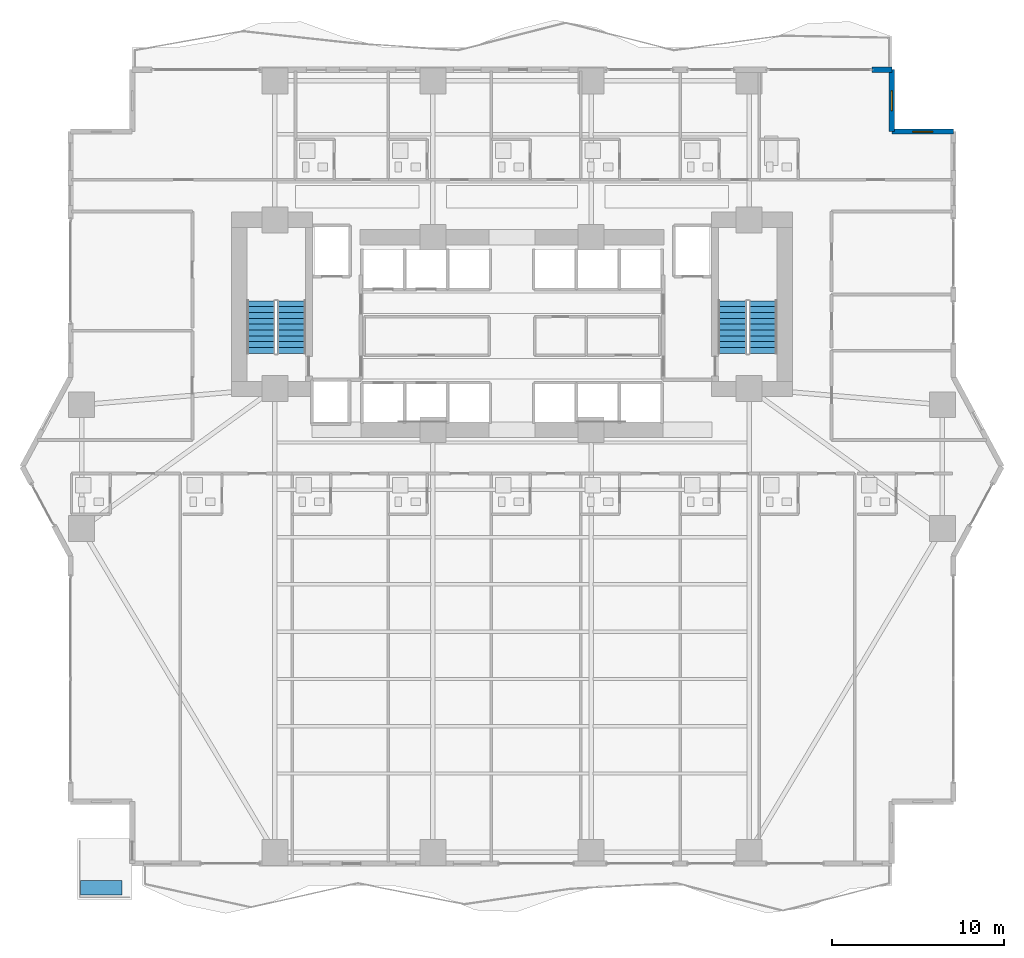
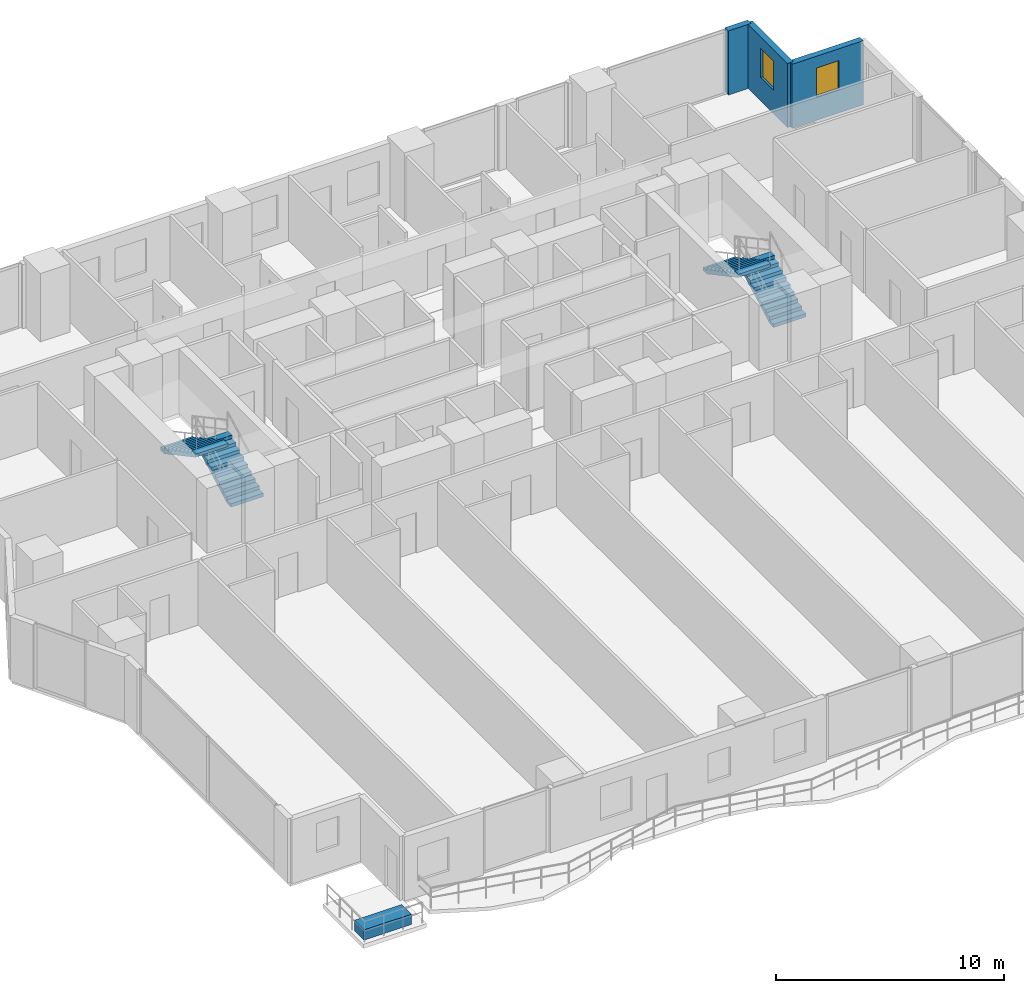
# One storey, part 23 of 28: 4 stair flights, 3 walls, 2 windows, 1 building element part, 2 openings, 2 elements without a shape of their own.
"""IFC4 building model written with IfcOpenShell, lengths in metres."""

from ifc_helpers import new_model, si_unit, direction, frame, frame_2d, origin, origin_2d, place, context, subcontext, project, spatial, polyline, rectangle, outline, extrude, material, layer, layer_set, type_object, element, fill, aggregate, save


model = new_model("IFC4")

# Units and contexts
model_context = context("Model", 3, precision=1e-05, world=origin(), true_north=direction((0.0, 1.0)))
body_context = subcontext(model_context, "Body", "Model", "MODEL_VIEW")
ifc_project = project(units=[si_unit("LENGTHUNIT", "METRE"), si_unit("AREAUNIT", "SQUARE_METRE"), si_unit("VOLUMEUNIT", "CUBIC_METRE"), si_unit("PLANEANGLEUNIT", "RADIAN"), si_unit("MASSUNIT", "GRAM", prefix="KILO")], contexts=[model_context])

# Site, building, storey
site_placement = place(None, origin())
site = spatial("IfcSite", under=ifc_project, at=site_placement, CompositionType="ELEMENT")
building_placement = place(site_placement, origin())
building = spatial("IfcBuilding", under=site, at=building_placement, Name="Zuhayl Quay Hotel", CompositionType="ELEMENT")
storey_placement = place(building_placement, frame((0.0, 0.0, 31.25)))
storey = spatial("IfcBuildingStorey", under=building, at=storey_placement, Name="L06", CompositionType="ELEMENT", Elevation=31.25)

# Wall
ifc_material_1 = material(Name="Precast concrete C45/55", Category="concrete")
ifc_layer_1 = layer(ifc_material_1, 0.300048828125, Name="Precast concrete C45/55", Category="concrete")
ifc_layer_set_1 = layer_set([ifc_layer_1], Name="Precast concrete C45/55")
wall_type = type_object("IfcWallType", Name="WL_EXT_300", PredefinedType="STANDARD", material=ifc_layer_set_1)
wall_1_placement = place(storey_placement, frame((20.949951171875, 23.10009765625, 0.0), z_axis=(0.0, 0.0, 1.0), x_axis=(1.0, 0.0, 0.0)))
element("IfcWall", 1, at=wall_1_placement, inside=storey, type_object=wall_type, Name="L06 Exterior Precast Wall ENV_L06_N_EW5", PredefinedType="STANDARD", context=body_context, shape_type="SweptSolid", body=[
    extrude(rectangle(XDim=1.150146484375, YDim=0.300048828125, at=frame_2d((0.5751953125, 0.0))), origin(), (0.0, 0.0, 1.0), 3.429931640625),
])

# Wall, opening, window
wall_2_placement = place(storey_placement, frame((22.10009765625, 23.10009765625, 0.0), z_axis=(0.0, 0.0, 1.0), x_axis=(0.0, -1.0, 0.0)))
wall_2 = element("IfcWall", 2, at=wall_2_placement, inside=storey, type_object=wall_type, Name="L06 Exterior Precast Wall ENV_L06_EW09", PredefinedType="STANDARD", context=body_context, shape_type="SweptSolid", body=[
    extrude(rectangle(XDim=3.60009765625, YDim=0.300048828125, at=frame_2d((1.800048828125, 0.0))), origin(), (0.0, 0.0, 1.0), 3.429931640625),
])
opening_1_placement = place(wall_2_placement, frame((1.22509765625, 0.0, 1.25)))
opening_1 = element("IfcOpeningElement", 3, at=opening_1_placement, cuts=wall_2, Name="Opening W01N", PredefinedType="OPENING", context=body_context, shape_type="SweptSolid", body=[
    extrude(rectangle(XDim=1.14990234375, YDim=1.550048828125, at=frame_2d((0.574951171875, 0.77490234375))), frame((0.0, 0.159912109375, 0.0), z_axis=(0.0, -1.0, 0.0), x_axis=(1.0, 0.0, 0.0)), (0.0, 0.0, 1.0), 0.320068359375),
])
ifc_material_2 = material(Name="Dark Ceramic-Fritted Solar Glass", Category="glass")
window_type = type_object("IfcWindowType", Name="WN_NOTCH_1350", PartitioningType="SINGLE_PANEL", PredefinedType="WINDOW", material=ifc_material_2)
window_1_placement = place(opening_1_placement, origin())
window_1 = element("IfcWindow", 4, at=window_1_placement, inside=storey, type_object=window_type, Name="L06 Corner Notch Window 9", OverallHeight=1.550048828125, OverallWidth=1.14990234375, PartitioningType="SINGLE_PANEL", PredefinedType="WINDOW", context=body_context, shape_type="SweptSolid", body=[
    extrude(rectangle(XDim=1.14990234375, YDim=1.550048828125, at=frame_2d((0.574951171875, 0.77490234375))), frame((0.0, 0.030029296875, 0.0), z_axis=(0.0, -1.0, 0.0), x_axis=(1.0, 0.0, 0.0)), (0.0, 0.0, 1.0), 0.06005859375),
])
fill(opening_1, window_1)

wall_3_placement = place(storey_placement, frame((22.10009765625, 19.5, 0.0), z_axis=(0.0, 0.0, 1.0), x_axis=(1.0, 0.0, 0.0)))
wall_3 = element("IfcWall", 5, at=wall_3_placement, inside=storey, type_object=wall_type, Name="L06 Exterior Precast Wall ENV_L06_EW10", PredefinedType="STANDARD", context=body_context, shape_type="SweptSolid", body=[
    extrude(rectangle(XDim=3.599853515625, YDim=0.300048828125, at=frame_2d((1.7998046875, 0.0))), origin(), (0.0, 0.0, 1.0), 3.429931640625),
])
opening_2_placement = place(wall_3_placement, frame((1.22509765625, 0.0, 1.25)))
opening_2 = element("IfcOpeningElement", 6, at=opening_2_placement, cuts=wall_3, Name="Opening W01N", PredefinedType="OPENING", context=body_context, shape_type="SweptSolid", body=[
    extrude(rectangle(XDim=1.14990234375, YDim=1.550048828125, at=frame_2d((0.574951171875, 0.77490234375))), frame((0.0, 0.159912109375, 0.0), z_axis=(0.0, -1.0, 0.0), x_axis=(1.0, 0.0, 0.0)), (0.0, 0.0, 1.0), 0.320068359375),
])
window_2_placement = place(opening_2_placement, origin())
window_2 = element("IfcWindow", 7, at=window_2_placement, inside=storey, type_object=window_type, Name="L06 Corner Notch Window 10", OverallHeight=1.550048828125, OverallWidth=1.14990234375, PartitioningType="SINGLE_PANEL", PredefinedType="WINDOW", context=body_context, shape_type="SweptSolid", body=[
    extrude(rectangle(XDim=1.14990234375, YDim=1.550048828125, at=frame_2d((0.574951171875, 0.77490234375))), frame((0.0, 0.030029296875, 0.0), z_axis=(0.0, -1.0, 0.0), x_axis=(1.0, 0.0, 0.0)), (0.0, 0.0, 1.0), 0.06005859375),
])
fill(opening_2, window_2)

# Stair, stair flights
ifc_material_3 = material(Name="Concrete C45/55", Category="concrete")
stair_type = type_object("IfcStairType", Name="ST_DOGLEG_TOWER", PredefinedType="HALF_TURN_STAIR", material=ifc_material_3)
stair_1_placement = place(storey_placement, origin())
stair_1 = element("IfcStair", 8, at=stair_1_placement, inside=storey, type_object=stair_type, Name="L06 Smokeproof Exit Stair ST1", PredefinedType="HALF_TURN_STAIR")
ifc_layer_2 = layer(ifc_material_3, 0.159912109375, Name="Concrete C45/55", Category="concrete")
ifc_layer_set_2 = layer_set([ifc_layer_2], Name="Concrete C45/55")
stair_flight_type = type_object("IfcStairFlightType", Name="SF_CONC_164", PredefinedType="STRAIGHT", material=ifc_layer_set_2)
stair_flight_1_placement = place(storey_placement, frame((-12.820068359375, 6.590087890625, 0.0), z_axis=(0.0, 0.0, 1.0), x_axis=(0.0, 1.0, 0.0)))
stair_flight_1 = element("IfcStairFlight", 9, at=stair_flight_1_placement, type_object=stair_flight_type, Name="ST1 flight 1", NumberOfRisers=10, NumberOfTreads=9, PredefinedType="STRAIGHT", RiserHeight=0.1825, TreadLength=0.34, context=body_context, shape_type="SweptSolid", body=[
    extrude(outline(polyline([(0.0, 0.0), (0.0, 0.1826171875), (0.340087890625, 0.1826171875), (0.340087890625, 0.364990234375), (0.679931640625, 0.364990234375), (0.679931640625, 0.547607421875), (1.02001953125, 0.547607421875), (1.02001953125, 0.72998046875), (1.360107421875, 0.72998046875), (1.360107421875, 0.91259765625), (1.699951171875, 0.91259765625), (1.699951171875, 1.094970703125), (2.0400390625, 1.094970703125), (2.0400390625, 1.277587890625), (2.3798828125, 1.277587890625), (2.3798828125, 1.4599609375), (2.719970703125, 1.4599609375), (2.719970703125, 1.642578125), (3.06005859375, 1.642578125), (3.06005859375, 1.824951171875), (3.06005859375, 1.472412109375), (0.31689453125, 0.0), (0.0, 0.0)])), frame((0.0, 0.81982421875, 0.0), z_axis=(0.0, -1.0, 0.0), x_axis=(1.0, 0.0, 0.0)), (0.0, 0.0, 1.0), 1.639892578125),
])
stair_flight_2_placement = place(storey_placement, frame((-14.610107421875, 9.64990234375, 1.824951171875), z_axis=(0.0, 0.0, 1.0), x_axis=(0.0, -1.0, 0.0)))
stair_flight_2 = element("IfcStairFlight", 10, at=stair_flight_2_placement, type_object=stair_flight_type, Name="ST1 flight 2", NumberOfRisers=10, NumberOfTreads=9, PredefinedType="STRAIGHT", RiserHeight=0.1825, TreadLength=0.34, context=body_context, shape_type="SweptSolid", body=[
    extrude(outline(polyline([(0.0, 0.0), (0.0, 0.1826171875), (0.340087890625, 0.1826171875), (0.340087890625, 0.364990234375), (0.679931640625, 0.364990234375), (0.679931640625, 0.547607421875), (1.02001953125, 0.547607421875), (1.02001953125, 0.72998046875), (1.360107421875, 0.72998046875), (1.360107421875, 0.91259765625), (1.699951171875, 0.91259765625), (1.699951171875, 1.094970703125), (2.0400390625, 1.094970703125), (2.0400390625, 1.277587890625), (2.3798828125, 1.277587890625), (2.3798828125, 1.4599609375), (2.719970703125, 1.4599609375), (2.719970703125, 1.642578125), (3.06005859375, 1.642578125), (3.06005859375, 1.824951171875), (3.06005859375, 1.472412109375), (0.31689453125, 0.0), (0.0, 0.0)])), frame((0.0, 0.81982421875, 0.0), z_axis=(0.0, -1.0, 0.0), x_axis=(1.0, 0.0, 0.0)), (0.0, 0.0, 1.0), 1.639892578125),
])
aggregate(stair_1, [stair_flight_1, stair_flight_2])

stair_2_placement = place(storey_placement, origin())
stair_2 = element("IfcStair", 11, at=stair_2_placement, inside=storey, type_object=stair_type, Name="L06 Smokeproof Exit Stair ST2", PredefinedType="HALF_TURN_STAIR")
stair_flight_3_placement = place(storey_placement, frame((14.610107421875, 6.590087890625, 0.0), z_axis=(0.0, 0.0, 1.0), x_axis=(0.0, 1.0, 0.0)))
stair_flight_3 = element("IfcStairFlight", 12, at=stair_flight_3_placement, type_object=stair_flight_type, Name="ST2 flight 1", NumberOfRisers=10, NumberOfTreads=9, PredefinedType="STRAIGHT", RiserHeight=0.1825, TreadLength=0.34, context=body_context, shape_type="SweptSolid", body=[
    extrude(outline(polyline([(0.0, 0.0), (0.0, 0.1826171875), (0.340087890625, 0.1826171875), (0.340087890625, 0.364990234375), (0.679931640625, 0.364990234375), (0.679931640625, 0.547607421875), (1.02001953125, 0.547607421875), (1.02001953125, 0.72998046875), (1.360107421875, 0.72998046875), (1.360107421875, 0.91259765625), (1.699951171875, 0.91259765625), (1.699951171875, 1.094970703125), (2.0400390625, 1.094970703125), (2.0400390625, 1.277587890625), (2.3798828125, 1.277587890625), (2.3798828125, 1.4599609375), (2.719970703125, 1.4599609375), (2.719970703125, 1.642578125), (3.06005859375, 1.642578125), (3.06005859375, 1.824951171875), (3.06005859375, 1.472412109375), (0.31689453125, 0.0), (0.0, 0.0)])), frame((0.0, 0.81982421875, 0.0), z_axis=(0.0, -1.0, 0.0), x_axis=(1.0, 0.0, 0.0)), (0.0, 0.0, 1.0), 1.639892578125),
])
stair_flight_4_placement = place(storey_placement, frame((12.820068359375, 9.64990234375, 1.824951171875), z_axis=(0.0, 0.0, 1.0), x_axis=(0.0, -1.0, 0.0)))
stair_flight_4 = element("IfcStairFlight", 13, at=stair_flight_4_placement, type_object=stair_flight_type, Name="ST2 flight 2", NumberOfRisers=10, NumberOfTreads=9, PredefinedType="STRAIGHT", RiserHeight=0.1825, TreadLength=0.34, context=body_context, shape_type="SweptSolid", body=[
    extrude(outline(polyline([(0.0, 0.0), (0.0, 0.1826171875), (0.340087890625, 0.1826171875), (0.340087890625, 0.364990234375), (0.679931640625, 0.364990234375), (0.679931640625, 0.547607421875), (1.02001953125, 0.547607421875), (1.02001953125, 0.72998046875), (1.360107421875, 0.72998046875), (1.360107421875, 0.91259765625), (1.699951171875, 0.91259765625), (1.699951171875, 1.094970703125), (2.0400390625, 1.094970703125), (2.0400390625, 1.277587890625), (2.3798828125, 1.277587890625), (2.3798828125, 1.4599609375), (2.719970703125, 1.4599609375), (2.719970703125, 1.642578125), (3.06005859375, 1.642578125), (3.06005859375, 1.824951171875), (3.06005859375, 1.472412109375), (0.31689453125, 0.0), (0.0, 0.0)])), frame((0.0, 0.81982421875, 0.0), z_axis=(0.0, -1.0, 0.0), x_axis=(1.0, 0.0, 0.0)), (0.0, 0.0, 1.0), 1.639892578125),
])
aggregate(stair_2, [stair_flight_3, stair_flight_4])

# Building element part
ifc_layer_3 = layer(ifc_material_1, 0.550048828125, Name="Precast concrete C45/55", Category="concrete")
ifc_layer_set_3 = layer_set([ifc_layer_3], Name="Precast concrete C45/55")
building_element_part_type = type_object("IfcBuildingElementPartType", Name="PT_PLANTER_KERB", PredefinedType="PRECASTPANEL", material=ifc_layer_set_3)
building_element_part_placement = place(storey_placement, frame((-23.909912109375, -24.510009765625, 0.0), z_axis=(0.0, 0.0, 1.0), x_axis=(1.0, 0.0, 0.0)))
element("IfcBuildingElementPart", 14, at=building_element_part_placement, inside=storey, type_object=building_element_part_type, Name="L06 Spiral Sky-Terrace Planter Box SW", PredefinedType="PRECASTPANEL", context=body_context, shape_type="SweptSolid", body=[
    extrude(rectangle(XDim=2.39990234375, YDim=0.85009765625, at=origin_2d()), origin(), (0.0, 0.0, 1.0), 0.550048828125),
])

save(model, "model.ifc")
